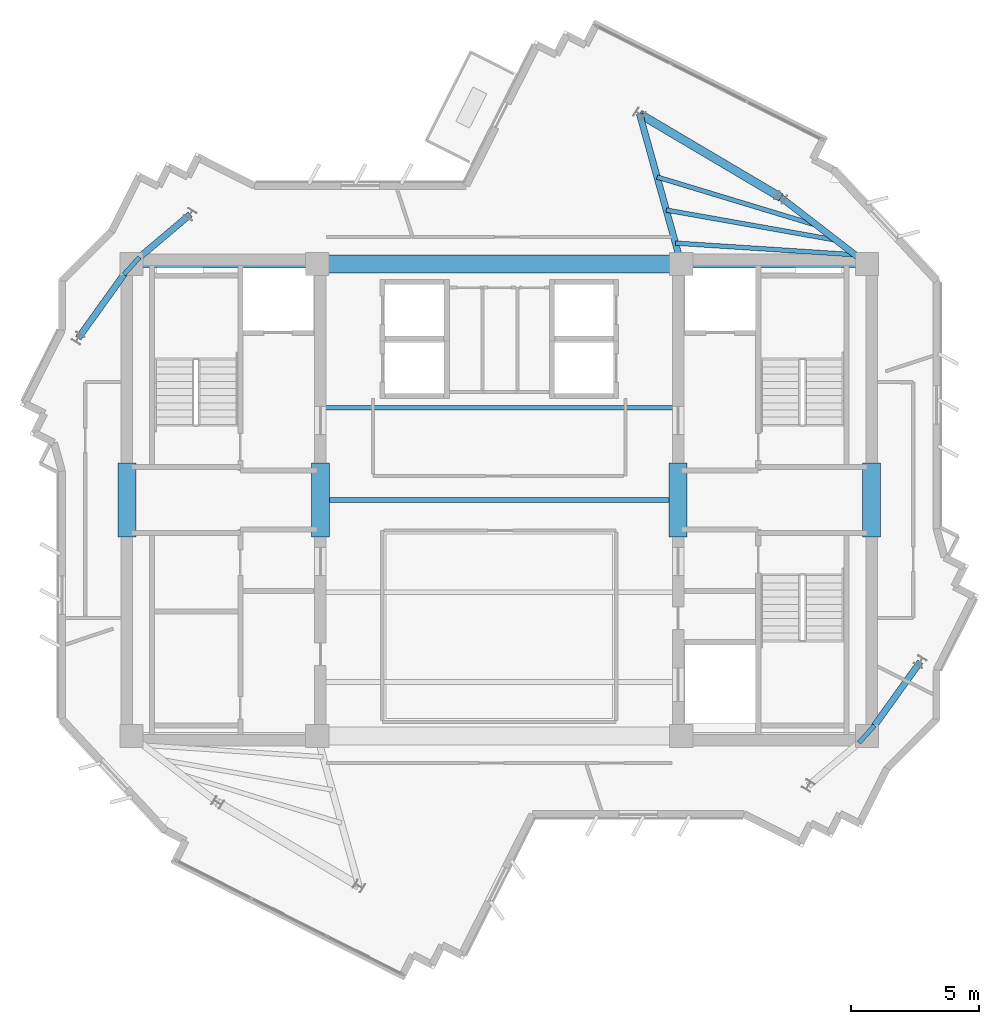
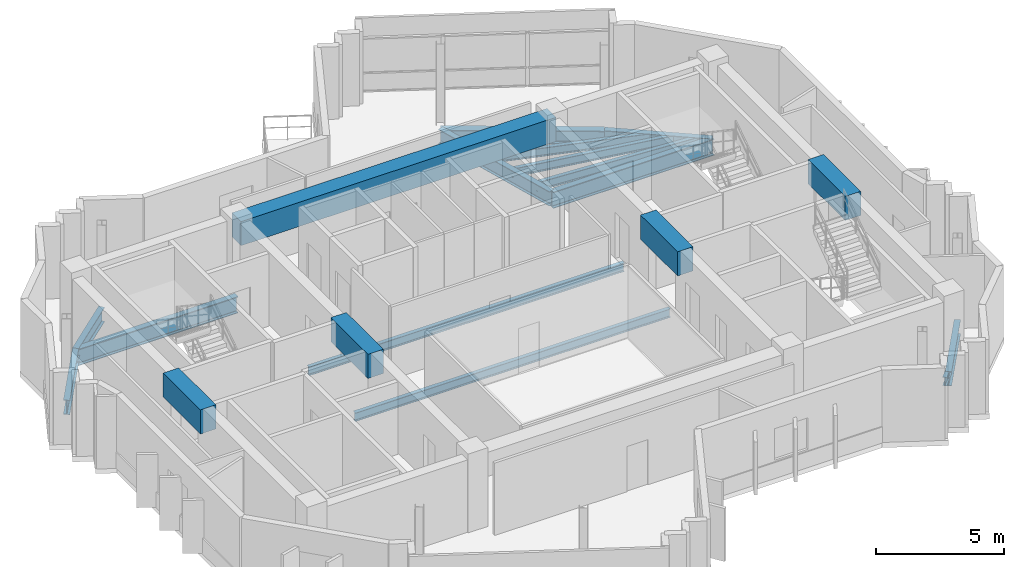
# One storey, part 3 of 11: 20 beams.
"""IFC4 building model written with IfcOpenShell, lengths in metres."""

import ifcopenshell
import ifcopenshell.guid

model = None  # the IFC model being written
_history = None  # IfcOwnerHistory: only IFC2X3 demands one
_inside = {}  # id of a spatial element -> (the spatial element, [elements in it])
_under = {}  # id of a project, library or spatial element -> (it, [spatial elements below it])
_declared = {}  # id of a project -> (the project, [libraries it declares])
_typed = {}  # id of a type object -> (the type object, [elements of that type])
_made_of = {}  # id of a material, layer set ... -> (it, [elements and type objects made of it])


def new_model(schema):
    """Start an empty IFC model of exactly this schema.

    Asked for "IFC4X3", IfcOpenShell would pick the latest addendum, in which some entities
    have other attributes; the version numbers below select the first issue.
    IFC2X3 requires an IfcOwnerHistory on every rooted entity: one is made here for all.
    """
    global model, _history
    if schema == "IFC4X3":
        model = ifcopenshell.file(schema_version=(4, 3, 0, 0))
    else:
        model = ifcopenshell.file(schema=schema)
    _inside.clear()
    _under.clear()
    _declared.clear()
    _typed.clear()
    _made_of.clear()
    _history = None
    if model.schema == "IFC2X3":
        org = make("IfcOrganization", Name="unknown")
        user = make(
            "IfcPersonAndOrganization",
            ThePerson=make("IfcPerson", FamilyName="unknown"),
            TheOrganization=org,
        )
        app = make(
            "IfcApplication",
            ApplicationDeveloper=org,
            Version="unknown",
            ApplicationFullName="unknown",
            ApplicationIdentifier="unknown",
        )
        _history = make(
            "IfcOwnerHistory",
            OwningUser=user,
            OwningApplication=app,
            ChangeAction="ADDED",
            CreationDate=0,
        )
    return model


def make(cls, **values):
    """One entity of the class cls with the attributes given. An attribute that is None is left unset."""
    return model.create_entity(
        cls, **{name: value for name, value in values.items() if value is not None}
    )


def rooted(cls, **values):
    """An entity with a GlobalId (a new one), such as an element, a storey or a relation."""
    return make(cls, GlobalId=ifcopenshell.guid.new(), OwnerHistory=_history, **values)


def si_unit(unit_type, name, prefix=None):
    """IfcSIUnit, for example si_unit("LENGTHUNIT", "METRE", prefix="MILLI")."""
    return make("IfcSIUnit", UnitType=unit_type, Prefix=prefix, Name=name)


def assignment(units):
    """IfcUnitAssignment: the units of a project."""
    return None if units is None else make("IfcUnitAssignment", Units=units)


def point(xyz):
    """IfcCartesianPoint."""
    return None if xyz is None else make("IfcCartesianPoint", Coordinates=xyz)


def direction(xyz):
    """IfcDirection."""
    return None if xyz is None else make("IfcDirection", DirectionRatios=xyz)


def frame(location, z_axis=None, x_axis=None):
    """IfcAxis2Placement3D, a coordinate frame: its origin and axes. An axis left out is left unset."""
    return make(
        "IfcAxis2Placement3D",
        Location=point(location),
        Axis=direction(z_axis),
        RefDirection=direction(x_axis),
    )


def frame_2d(location, x_axis=None):
    """IfcAxis2Placement2D, a coordinate frame in the plane: its origin and x axis."""
    return make(
        "IfcAxis2Placement2D", Location=point(location), RefDirection=direction(x_axis)
    )


def origin():
    """The frame at (0, 0, 0) with its axes left unset."""
    return frame((0.0, 0.0, 0.0))


def origin_2d():
    """The frame at (0, 0) in the plane with its x axis left unset."""
    return frame_2d((0.0, 0.0))


def place(relative_to, where):
    """IfcLocalPlacement: puts the frame where relative to a parent placement (None: the world)."""
    return make(
        "IfcLocalPlacement", PlacementRelTo=relative_to, RelativePlacement=where
    )


def context(
    kind, dimensions, precision=None, world=None, true_north=None, identifier=None
):
    """IfcGeometricRepresentationContext, for example the 3D "Model" context."""
    return make(
        "IfcGeometricRepresentationContext",
        ContextIdentifier=identifier,
        ContextType=kind,
        CoordinateSpaceDimension=dimensions,
        Precision=precision,
        WorldCoordinateSystem=world,
        TrueNorth=true_north,
    )


def subcontext(parent, identifier, kind, view, scale=None):
    """IfcGeometricRepresentationSubContext, for example "Body" below "Model"."""
    return make(
        "IfcGeometricRepresentationSubContext",
        ContextIdentifier=identifier,
        ContextType=kind,
        ParentContext=parent,
        TargetScale=scale,
        TargetView=view,
    )


def project(units=None, contexts=None):
    """IfcProject with its units and contexts."""
    return rooted(
        "IfcProject",
        Name="project",
        RepresentationContexts=contexts,
        UnitsInContext=assignment(units),
    )


def spatial(cls, under=None, at=None, **own):
    """A site, building, storey or space (cls), placed at a placement, below another one or the project."""
    s = rooted(cls, ObjectPlacement=at, **own)
    if under is not None:
        _under.setdefault(under.id(), (under, []))[1].append(s)
    return s


def profile(cls, at=None, kind="AREA", **sizes):
    """A parametric profile (cls). Its sizes go by their IFC names, for example OverallWidth=200.0."""
    return make(cls, ProfileType=kind, Position=at, **sizes)


def rectangle(**sizes):
    """IfcRectangleProfileDef."""
    return profile("IfcRectangleProfileDef", **sizes)


def i_section(**sizes):
    """IfcIShapeProfileDef."""
    return profile("IfcIShapeProfileDef", **sizes)


def extrude(swept, where, along, depth):
    """IfcExtrudedAreaSolid: the profile swept, set in the frame where, extruded along a direction by depth."""
    return make(
        "IfcExtrudedAreaSolid",
        SweptArea=swept,
        Position=where,
        ExtrudedDirection=direction(along),
        Depth=depth,
    )


def shape(context_of_items, identifier, shape_type, items):
    """IfcShapeRepresentation: the items that make up one representation, for example the "Body"."""
    return make(
        "IfcShapeRepresentation",
        ContextOfItems=context_of_items,
        RepresentationIdentifier=identifier,
        RepresentationType=shape_type,
        Items=items,
    )


def source(mapping_origin, context_of_items, identifier, shape_type, items):
    """IfcRepresentationMap: a shape defined once, which mapped items show again and again."""
    return make(
        "IfcRepresentationMap",
        MappingOrigin=mapping_origin,
        MappedRepresentation=shape(context_of_items, identifier, shape_type, items),
    )


def transform(
    local_origin,
    x_axis=None,
    y_axis=None,
    z_axis=None,
    scale=None,
    scale2=None,
    scale3=None,
    uniform=True,
):
    """IfcCartesianTransformationOperator3D, or its non-uniform kind. x_axis, y_axis, z_axis: its Axis1, 2, 3."""
    if uniform:
        return make(
            "IfcCartesianTransformationOperator3D",
            Axis1=direction(x_axis),
            Axis2=direction(y_axis),
            LocalOrigin=point(local_origin),
            Scale=scale,
            Axis3=direction(z_axis),
        )
    return make(
        "IfcCartesianTransformationOperator3DnonUniform",
        Axis1=direction(x_axis),
        Axis2=direction(y_axis),
        LocalOrigin=point(local_origin),
        Scale=scale,
        Axis3=direction(z_axis),
        Scale2=scale2,
        Scale3=scale3,
    )


def mapped(mapping_source, mapping_target):
    """IfcMappedItem: shows the shape of a source again, moved by a transform."""
    return make(
        "IfcMappedItem", MappingSource=mapping_source, MappingTarget=mapping_target
    )


def material(Name=None, Category=None):
    """IfcMaterial."""
    return make("IfcMaterial", Name=Name, Category=Category)


def material_profile(
    of_material, cross_section, Name=None, Category=None, Priority=None
):
    """IfcMaterialProfile: a cross section and its material."""
    return make(
        "IfcMaterialProfile",
        Name=Name,
        Material=of_material,
        Profile=cross_section,
        Priority=Priority,
        Category=Category,
    )


def profile_set(profiles, Name=None, composite=None):
    """IfcMaterialProfileSet."""
    return make(
        "IfcMaterialProfileSet",
        Name=Name,
        MaterialProfiles=profiles,
        CompositeProfile=composite,
    )


def made_of(thing, what):
    """Note that an element or type object is made of a material, layer set ...; save() writes the relation."""
    if what is not None:
        _made_of.setdefault(what.id(), (what, []))[1].append(thing)
    return thing


def type_object(cls, material=None, **own):
    """A type object (cls), such as IfcWallType, which elements share."""
    return made_of(rooted(cls, **own), material)


def element(
    cls,
    number,
    at=None,
    inside=None,
    cuts=None,
    type_object=None,
    material=None,
    context=None,
    identifier="Body",
    shape_type=None,
    held_by="IfcProductDefinitionShape",
    body=None,
    shapes=None,
    **own,
):
    """One element of the class cls, such as IfcWall. Its Tag is "e" and its number.

    at: its placement. inside: the storey or other place that contains it. cuts: it is an
    opening in that element (IfcRelVoidsElement). A single representation is given by context,
    identifier, shape_type and body (its items); several are given by shapes. held_by: the class
    of the entity that holds the representations. save() writes the other relations.
    """
    e = rooted(cls, Tag="e%d" % number, ObjectPlacement=at, **own)
    if body is not None:
        shapes = [shape(context, identifier, shape_type, body)]
    if shapes is not None:
        e.Representation = make(held_by, Representations=shapes)
    if inside is not None:
        _inside.setdefault(inside.id(), (inside, []))[1].append(e)
    if cuts is not None:
        rooted(
            "IfcRelVoidsElement", RelatingBuildingElement=cuts, RelatedOpeningElement=e
        )
    if type_object is not None:
        _typed.setdefault(type_object.id(), (type_object, []))[1].append(e)
    return made_of(e, material)


def aggregate(whole, parts):
    """IfcRelAggregates: a whole, such as a stair, and the parts it consists of."""
    return rooted("IfcRelAggregates", RelatingObject=whole, RelatedObjects=parts)


def save(model, path):
    """Write the relations noted so far, then the file.

    IfcRelAggregates (storeys below a building ...), IfcRelContainedInSpatialStructure (elements
    in a storey), IfcRelDefinesByType, IfcRelAssociatesMaterial and IfcRelDeclares: one each for
    every whole, place, type object, material and project.
    """
    for whole, parts in _under.values():
        aggregate(whole, parts)
    for where, things in _inside.values():
        rooted(
            "IfcRelContainedInSpatialStructure",
            RelatedElements=things,
            RelatingStructure=where,
        )
    for kind, things in _typed.values():
        rooted("IfcRelDefinesByType", RelatedObjects=things, RelatingType=kind)
    for what, things in _made_of.values():
        rooted("IfcRelAssociatesMaterial", RelatedObjects=things, RelatingMaterial=what)
    for by, libraries in _declared.values():
        rooted("IfcRelDeclares", RelatingContext=by, RelatedDefinitions=libraries)
    model.write(path)


model = new_model("IFC4")

# Units and contexts
model_context = context("Model", 3, precision=1e-05, world=origin(), true_north=direction((0.0, 1.0)))
body_context = subcontext(model_context, "Body", "Model", "MODEL_VIEW")
ifc_project = project(units=[si_unit("LENGTHUNIT", "METRE"), si_unit("AREAUNIT", "SQUARE_METRE"), si_unit("VOLUMEUNIT", "CUBIC_METRE"), si_unit("PLANEANGLEUNIT", "RADIAN"), si_unit("MASSUNIT", "GRAM", prefix="KILO")], contexts=[model_context])

# Site, building, storey
site_placement = place(None, origin())
site = spatial("IfcSite", under=ifc_project, at=site_placement, CompositionType="ELEMENT")
building_placement = place(site_placement, origin())
building = spatial("IfcBuilding", under=site, at=building_placement, Name="Zahravan Cultural Tower", CompositionType="ELEMENT")
storey_placement = place(building_placement, frame((0.0, 0.0, 357.300048828125)))
storey = spatial("IfcBuildingStorey", under=building, at=storey_placement, Name="L87", CompositionType="ELEMENT", Elevation=357.300048828125)

# Beams
ifc_material_1 = material(Name="Concrete C50/60", Category="concrete")
ifc_material_profile_1 = material_profile(ifc_material_1, rectangle(XDim=0.699951171875, YDim=1.14990234375, at=origin_2d()), Name="RC700X1150")
ifc_profile_set_1 = profile_set([ifc_material_profile_1], Name="Concrete C50/60")
beam_type_1 = type_object("IfcBeamType", Name="BM-LN-RC700X1150", PredefinedType="LINTEL", material=ifc_profile_set_1)
shared_shape_1 = source(origin(), body_context, "Body", "SweptSolid", [
    extrude(rectangle(XDim=0.699951171875, YDim=1.14990234375, at=origin_2d()), origin(), (0.0, 0.0, 1.0), 14.2001953125),
])
beam_1_placement = place(storey_placement, frame((28.89990234375, 36.199951171875, 2.875), z_axis=(1.0, 0.0, 0.0), x_axis=(0.0, 1.0, 0.0)))
element("IfcBeam", 1, at=beam_1_placement, inside=storey, type_object=beam_type_1, Name="L87 Beam LN-L87-N", PredefinedType="LINTEL", context=body_context, shape_type="MappedRepresentation", body=[
    mapped(shared_shape_1, transform((0.0, 0.0, 0.0), x_axis=(1.0, 0.0, 0.0), y_axis=(0.0, 1.0, 0.0), z_axis=(0.0, 0.0, 1.0), scale=1.0)),
])
shared_shape_2 = source(origin(), body_context, "Body", "SweptSolid", [
    extrude(rectangle(XDim=0.699951171875, YDim=1.14990234375, at=origin_2d()), origin(), (0.0, 0.0, 1.0), 2.89990234375),
])
for number, where, z_axis, x_axis, name in (
    (2, (21.47509765625, 25.550048828125, 2.875), (0.0, 1.0, 0.0), (-1.0, 0.0, 0.0), "L87 Beam LN-L87-PWW"),
    (3, (29.02490234375, 25.550048828125, 2.875), (0.0, 1.0, 0.0), (-1.0, 0.0, 0.0), "L87 Beam LN-L87-PWE"),
    (4, (42.97509765625, 25.550048828125, 2.875), (0.0, 1.0, 0.0), (-1.0, 0.0, 0.0), "L87 Beam LN-L87-PEW"),
    (5, (50.52490234375, 25.550048828125, 2.875), (0.0, 1.0, 0.0), (-1.0, 0.0, 0.0), "L87 Beam LN-L87-PEE"),
):
    element("IfcBeam", number, at=place(storey_placement, frame(where, z_axis=z_axis, x_axis=x_axis)), inside=storey, type_object=beam_type_1, Name=name, PredefinedType="LINTEL", context=body_context, shape_type="MappedRepresentation", body=[
        mapped(shared_shape_2, transform((0.0, 0.0, 0.0), x_axis=(1.0, 0.0, 0.0), y_axis=(0.0, 1.0, 0.0), z_axis=(0.0, 0.0, 1.0), scale=1.0)),
    ])
ifc_material_2 = material(Name="Steel ASTM A992 Grade 50", Category="steel")
ifc_material_profile_2 = material_profile(ifc_material_2, i_section(OverallWidth=0.26611328125, OverallDepth=0.780029296875, WebThickness=0.0166015625, FlangeThickness=0.030029296875, FilletRadius=0.01904296875, at=origin_2d()), Name="W30X148")
ifc_profile_set_2 = profile_set([ifc_material_profile_2], Name="Steel ASTM A992 Grade 50")
beam_type_2 = type_object("IfcBeamType", Name="BM-G-W30X148", PredefinedType="BEAM", material=ifc_profile_set_2)
shared_shape_3 = source(origin(), body_context, "Body", "SweptSolid", [
    extrude(i_section(OverallWidth=0.26611328125, OverallDepth=0.780029296875, WebThickness=0.0166015625, FlangeThickness=0.030029296875, FilletRadius=0.01904296875, at=origin_2d()), origin(), (0.0, 0.0, 1.0), 7.25),
])
for number, where, z_axis, x_axis, name in (
    (6, (21.64990234375, 36.199951171875, -0.64013671875), (1.0, 0.0, 0.0), (0.0, 1.0, 0.0), "L87 Beam BG-L87-02"),
    (7, (43.10009765625, 36.199951171875, -0.64013671875), (1.0, 0.0, 0.0), (0.0, 1.0, 0.0), "L87 Beam BG-L87-05"),
):
    element("IfcBeam", number, at=place(storey_placement, frame(where, z_axis=z_axis, x_axis=x_axis)), inside=storey, type_object=beam_type_2, Name=name, PredefinedType="BEAM", context=body_context, shape_type="MappedRepresentation", body=[
        mapped(shared_shape_3, transform((0.0, 0.0, 0.0), x_axis=(1.0, 0.0, 0.0), y_axis=(0.0, 1.0, 0.0), z_axis=(0.0, 0.0, 1.0), scale=1.0)),
    ])
ifc_material_profile_3 = material_profile(ifc_material_2, i_section(OverallWidth=0.326904296875, OverallDepth=0.6220703125, WebThickness=0.015380859375, FlangeThickness=0.0244140625, FilletRadius=0.014892578125, at=origin_2d()), Name="W24X131")
ifc_profile_set_3 = profile_set([ifc_material_profile_3], Name="Steel ASTM A992 Grade 50")
beam_type_3 = type_object("IfcBeamType", Name="BM-SP-W24X131", PredefinedType="SPANDREL", material=ifc_profile_set_3)
shared_shape_4 = source(origin(), body_context, "Body", "SweptSolid", [
    extrude(i_section(OverallWidth=0.326904296875, OverallDepth=0.6220703125, WebThickness=0.015380859375, FlangeThickness=0.0244140625, FilletRadius=0.014892578125, at=origin_2d()), origin(), (0.0, 0.0, 1.0), 6.400634765625),
])
beam_2_placement = place(storey_placement, frame((46.98388671875, 38.7998046875, -0.56103515625), z_axis=(-0.860706991833, 0.509100652337, 0.0), x_axis=(-0.509100652337, -0.860706991833, 0.0)))
element("IfcBeam", 8, at=beam_2_placement, inside=storey, type_object=beam_type_3, Name="L87 Beam SP-L87-17", PredefinedType="SPANDREL", context=body_context, shape_type="MappedRepresentation", body=[
    mapped(shared_shape_4, transform((0.0, 0.0, 0.0), x_axis=(1.0, 0.0, 0.0), y_axis=(0.0, 1.0, 0.0), z_axis=(0.0, 0.0, 1.0), scale=1.0)),
])
ifc_material_profile_4 = material_profile(ifc_material_2, i_section(OverallWidth=0.177978515625, OverallDepth=0.406005859375, WebThickness=0.0078125, FlangeThickness=0.0126953125, FilletRadius=0.011962890625, at=origin_2d()), Name="W16X40")
ifc_profile_set_4 = profile_set([ifc_material_profile_4], Name="Steel ASTM A992 Grade 50")
beam_type_4 = type_object("IfcBeamType", Name="BM-J-W16X40", PredefinedType="JOIST", material=ifc_profile_set_4)
shared_shape_5 = source(origin(), body_context, "Body", "SweptSolid", [
    extrude(i_section(OverallWidth=0.177978515625, OverallDepth=0.406005859375, WebThickness=0.0078125, FlangeThickness=0.0126953125, FilletRadius=0.011962890625, at=origin_2d()), origin(), (0.0, 0.0, 1.0), 14.2001953125),
])
for number, where, z_axis, x_axis, name in (
    (9, (28.89990234375, 27.0, -0.453125), (1.0, 0.0, 0.0), (0.0, 1.0, 0.0), "L87 Beam BJ-L87-22"),
    (10, (28.89990234375, 30.60009765625, -0.453125), (1.0, 0.0, 0.0), (0.0, 1.0, 0.0), "L87 Beam BJ-L87-23"),
):
    element("IfcBeam", number, at=place(storey_placement, frame(where, z_axis=z_axis, x_axis=x_axis)), inside=storey, type_object=beam_type_4, Name=name, PredefinedType="JOIST", context=body_context, shape_type="MappedRepresentation", body=[
        mapped(shared_shape_5, transform((0.0, 0.0, 0.0), x_axis=(1.0, 0.0, 0.0), y_axis=(0.0, 1.0, 0.0), z_axis=(0.0, 0.0, 1.0), scale=1.0)),
    ])
shared_shape_6 = source(origin(), body_context, "Body", "SweptSolid", [
    extrude(i_section(OverallWidth=0.177978515625, OverallDepth=0.406005859375, WebThickness=0.0078125, FlangeThickness=0.0126953125, FilletRadius=0.011962890625, at=origin_2d()), origin(), (0.0, 0.0, 1.0), 7.02099609375),
])
beam_3_placement = place(storey_placement, frame((49.878662109375, 36.56396484375, -0.453125), z_axis=(-0.99788584579, 0.064991066863, 0.0), x_axis=(-0.064991066863, -0.99788584579, 0.0)))
element("IfcBeam", 11, at=beam_3_placement, inside=storey, type_object=beam_type_4, Name="L87 Beam BJ-L87-40", PredefinedType="JOIST", context=body_context, shape_type="MappedRepresentation", body=[
    mapped(shared_shape_6, transform((0.0, 0.0, 0.0), x_axis=(1.0, 0.0, 0.0), y_axis=(0.0, 1.0, 0.0), z_axis=(0.0, 0.0, 1.0), scale=1.0)),
])
shared_shape_7 = source(origin(), body_context, "Body", "SweptSolid", [
    extrude(i_section(OverallWidth=0.177978515625, OverallDepth=0.406005859375, WebThickness=0.0078125, FlangeThickness=0.0126953125, FilletRadius=0.011962890625, at=origin_2d()), origin(), (0.0, 0.0, 1.0), 6.726318359375),
])
beam_4_placement = place(storey_placement, frame((49.13818359375, 37.135986328125, -0.453125), z_axis=(-0.98467447748, 0.17440233198, 0.0), x_axis=(-0.17440233198, -0.98467447748, 0.0)))
element("IfcBeam", 12, at=beam_4_placement, inside=storey, type_object=beam_type_4, Name="L87 Beam BJ-L87-42", PredefinedType="JOIST", context=body_context, shape_type="MappedRepresentation", body=[
    mapped(shared_shape_7, transform((0.0, 0.0, 0.0), x_axis=(1.0, 0.0, 0.0), y_axis=(0.0, 1.0, 0.0), z_axis=(0.0, 0.0, 1.0), scale=1.0)),
])
shared_shape_8 = source(origin(), body_context, "Body", "SweptSolid", [
    extrude(i_section(OverallWidth=0.177978515625, OverallDepth=0.406005859375, WebThickness=0.0078125, FlangeThickness=0.0126953125, FilletRadius=0.011962890625, at=origin_2d()), origin(), (0.0, 0.0, 1.0), 6.520263671875),
])
beam_5_placement = place(storey_placement, frame((48.397705078125, 37.707763671875, -0.453125), z_axis=(-0.957060297679, 0.289888921151, 0.0), x_axis=(-0.289888921151, -0.957060297679, 0.0)))
element("IfcBeam", 13, at=beam_5_placement, inside=storey, type_object=beam_type_4, Name="L87 Beam BJ-L87-44", PredefinedType="JOIST", context=body_context, shape_type="MappedRepresentation", body=[
    mapped(shared_shape_8, transform((0.0, 0.0, 0.0), x_axis=(1.0, 0.0, 0.0), y_axis=(0.0, 1.0, 0.0), z_axis=(0.0, 0.0, 1.0), scale=1.0)),
])
shared_shape_9 = source(origin(), body_context, "Body", "SweptSolid", [
    extrude(i_section(OverallWidth=0.177978515625, OverallDepth=0.406005859375, WebThickness=0.0078125, FlangeThickness=0.0126953125, FilletRadius=0.011962890625, at=origin_2d()), origin(), (0.0, 0.0, 1.0), 0.91162109375),
])
for number, where, z_axis, x_axis, name in (
    (14, (50.02880859375, 17.5283203125, -0.453125), (0.670590689022, 0.741827559341, 0.0), (-0.741827559341, 0.670590689022, 0.0), "L87 Beam BJ-L87-32"),
    (15, (21.97119140625, 36.4716796875, -0.453125), (-0.670590689022, -0.741827559341, 0.0), (0.741827559341, -0.670590689022, 0.0), "L87 Beam BJ-L87-48"),
):
    element("IfcBeam", number, at=place(storey_placement, frame(where, z_axis=z_axis, x_axis=x_axis)), inside=storey, type_object=beam_type_4, Name=name, PredefinedType="JOIST", context=body_context, shape_type="MappedRepresentation", body=[
        mapped(shared_shape_9, transform((0.0, 0.0, 0.0), x_axis=(1.0, 0.0, 0.0), y_axis=(0.0, 1.0, 0.0), z_axis=(0.0, 0.0, 1.0), scale=1.0)),
    ])
ifc_material_profile_5 = material_profile(ifc_material_2, i_section(OverallWidth=0.25390625, OverallDepth=0.68798828125, WebThickness=0.01318359375, FlangeThickness=0.02099609375, FilletRadius=0.01806640625, at=origin_2d()), Name="W27X102")
ifc_profile_set_5 = profile_set([ifc_material_profile_5], Name="Steel ASTM A992 Grade 50")
beam_type_5 = type_object("IfcBeamType", Name="BM-G-W27X102", PredefinedType="BEAM", material=ifc_profile_set_5)
shared_shape_10 = source(origin(), body_context, "Body", "SweptSolid", [
    extrude(i_section(OverallWidth=0.25390625, OverallDepth=0.68798828125, WebThickness=0.01318359375, FlangeThickness=0.02099609375, FilletRadius=0.01806640625, at=origin_2d()), origin(), (0.0, 0.0, 1.0), 4.25341796875),
])
beam_6_placement = place(storey_placement, frame((50.35009765625, 36.199951171875, -0.593994140625), z_axis=(-0.791433936253, 0.611254713313, 0.0), x_axis=(-0.611254713313, -0.791433936253, 0.0)))
element("IfcBeam", 16, at=beam_6_placement, inside=storey, type_object=beam_type_5, Name="L87 Beam BG-L87-11", PredefinedType="BEAM", context=body_context, shape_type="MappedRepresentation", body=[
    mapped(shared_shape_10, transform((0.0, 0.0, 0.0), x_axis=(1.0, 0.0, 0.0), y_axis=(0.0, 1.0, 0.0), z_axis=(0.0, 0.0, 1.0), scale=1.0)),
])
shared_shape_11 = source(origin(), body_context, "Body", "SweptSolid", [
    extrude(i_section(OverallWidth=0.25390625, OverallDepth=0.68798828125, WebThickness=0.01318359375, FlangeThickness=0.02099609375, FilletRadius=0.01806640625, at=origin_2d()), origin(), (0.0, 0.0, 1.0), 6.07958984375),
])
beam_7_placement = place(storey_placement, frame((43.10009765625, 36.199951171875, -0.593994140625), z_axis=(-0.267324894686, 0.963606455292, 0.0), x_axis=(-0.963606455292, -0.267324894686, 0.0)))
element("IfcBeam", 17, at=beam_7_placement, inside=storey, type_object=beam_type_5, Name="L87 Beam BG-L87-12", PredefinedType="BEAM", context=body_context, shape_type="MappedRepresentation", body=[
    mapped(shared_shape_11, transform((0.0, 0.0, 0.0), x_axis=(1.0, 0.0, 0.0), y_axis=(0.0, 1.0, 0.0), z_axis=(0.0, 0.0, 1.0), scale=1.0)),
])
shared_shape_12 = source(origin(), body_context, "Body", "SweptSolid", [
    extrude(i_section(OverallWidth=0.25390625, OverallDepth=0.68798828125, WebThickness=0.01318359375, FlangeThickness=0.02099609375, FilletRadius=0.01806640625, at=origin_2d()), origin(), (0.0, 0.0, 1.0), 3.00537109375),
])
beam_8_placement = place(storey_placement, frame((21.64990234375, 36.199951171875, -0.593994140625), z_axis=(0.763546494847, 0.645752855361, 0.0), x_axis=(-0.645752855361, 0.763546494847, 0.0)))
element("IfcBeam", 18, at=beam_8_placement, inside=storey, type_object=beam_type_5, Name="L87 Beam BG-L87-13", PredefinedType="BEAM", context=body_context, shape_type="MappedRepresentation", body=[
    mapped(shared_shape_12, transform((0.0, 0.0, 0.0), x_axis=(1.0, 0.0, 0.0), y_axis=(0.0, 1.0, 0.0), z_axis=(0.0, 0.0, 1.0), scale=1.0)),
])
shared_shape_13 = source(origin(), body_context, "Body", "SweptSolid", [
    extrude(i_section(OverallWidth=0.25390625, OverallDepth=0.68798828125, WebThickness=0.01318359375, FlangeThickness=0.02099609375, FilletRadius=0.01806640625, at=origin_2d()), origin(), (0.0, 0.0, 1.0), 3.5556640625),
])
for number, where, z_axis, x_axis, name in (
    (19, (50.35009765625, 17.800048828125, -0.593994140625), (0.58288028137, 0.812558045674, 0.0), (-0.812558045674, 0.58288028137, 0.0), "L87 Beam BG-L87-10"),
    (20, (21.64990234375, 36.199951171875, -0.593994140625), (-0.58288028137, -0.812558045674, 0.0), (0.812558045674, -0.58288028137, 0.0), "L87 Beam BG-L87-14"),
):
    element("IfcBeam", number, at=place(storey_placement, frame(where, z_axis=z_axis, x_axis=x_axis)), inside=storey, type_object=beam_type_5, Name=name, PredefinedType="BEAM", context=body_context, shape_type="MappedRepresentation", body=[
        mapped(shared_shape_13, transform((0.0, 0.0, 0.0), x_axis=(1.0, 0.0, 0.0), y_axis=(0.0, 1.0, 0.0), z_axis=(0.0, 0.0, 1.0), scale=1.0)),
    ])

save(model, "model.ifc")
